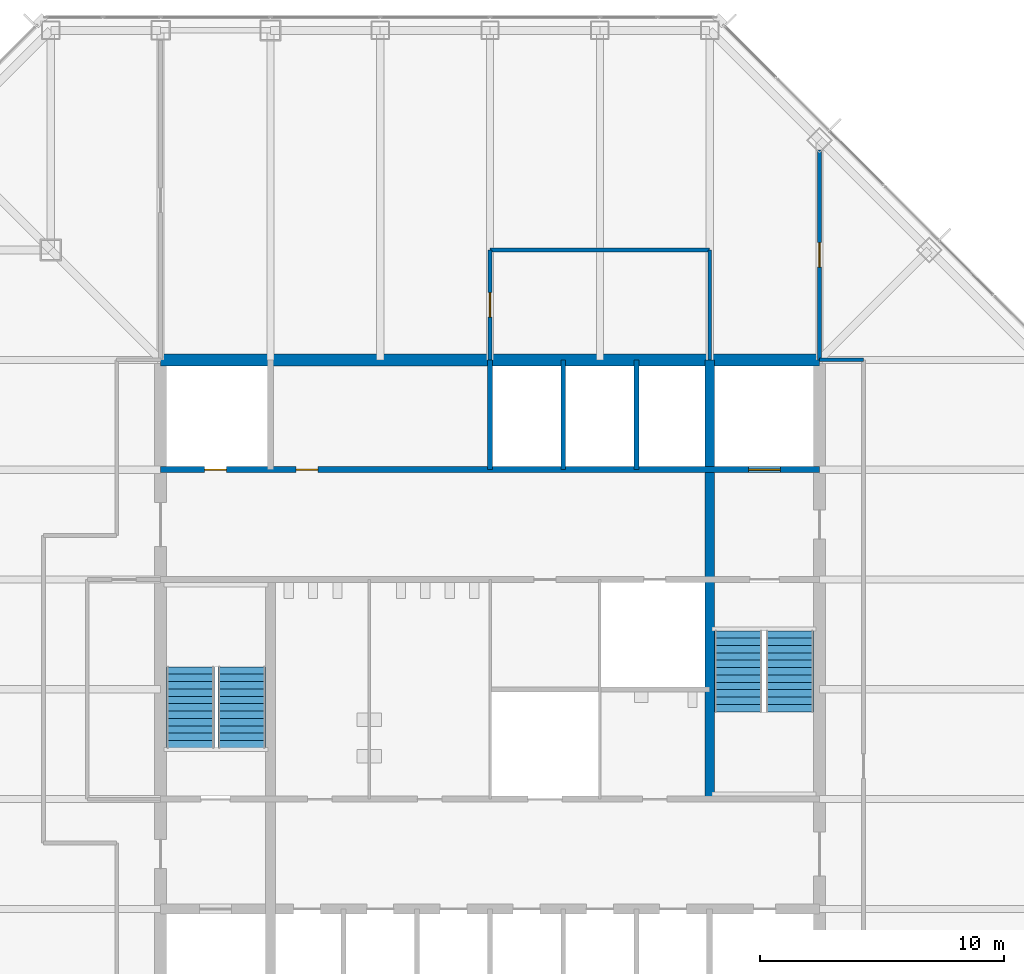
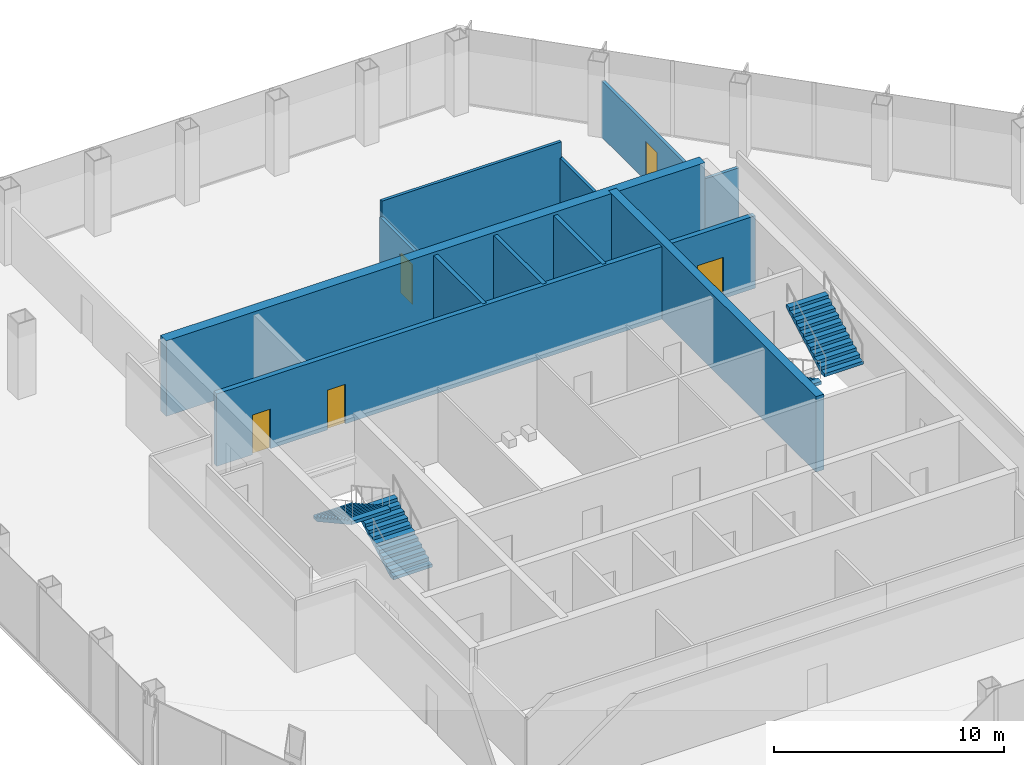
# One storey, part 10 of 12: 11 walls, 5 doors, 4 stair flights, 5 openings, 2 elements without a shape of their own.
"""IFC4 building model written with IfcOpenShell, lengths in metres."""

from ifc_helpers import new_model, si_unit, direction, frame, frame_2d, origin, place, context, subcontext, project, spatial, polyline, rectangle, outline, extrude, material, layer, layer_set, type_object, element, fill, aggregate, save


model = new_model("IFC4")

# Units and contexts
model_context = context("Model", 3, precision=1e-05, world=origin(), true_north=direction((0.0, 1.0)))
body_context = subcontext(model_context, "Body", "Model", "MODEL_VIEW")
ifc_project = project(units=[si_unit("LENGTHUNIT", "METRE"), si_unit("AREAUNIT", "SQUARE_METRE"), si_unit("VOLUMEUNIT", "CUBIC_METRE"), si_unit("PLANEANGLEUNIT", "RADIAN"), si_unit("MASSUNIT", "GRAM", prefix="KILO")], contexts=[model_context])

# Site, building, storey
site_placement = place(None, origin())
site = spatial("IfcSite", under=ifc_project, at=site_placement, CompositionType="ELEMENT")
building_placement = place(site_placement, origin())
building = spatial("IfcBuilding", under=site, at=building_placement, Name="Corais Broadcast Tower", CompositionType="ELEMENT")
storey_placement = place(building_placement, frame((0.0, 0.0, 139.60009765625)))
storey = spatial("IfcBuildingStorey", under=building, at=storey_placement, Name="L31", CompositionType="ELEMENT", Elevation=139.60009765625)

# Walls
ifc_material_1 = material(Name="Concrete C50/60", Category="concrete")
ifc_layer_1 = layer(ifc_material_1, 0.39990234375)
ifc_layer_set_1 = layer_set([ifc_layer_1], Name="Concrete C50/60")
wall_type_1 = type_object("IfcWallType", Name="Core wall 400", PredefinedType="SHEAR", material=ifc_layer_set_1)
wall_1_placement = place(storey_placement, frame((36.0, 22.5, 0.0), z_axis=(0.0, 0.0, 1.0), x_axis=(0.0, 1.0, 0.0)))
element("IfcWall", 1, at=wall_1_placement, inside=storey, type_object=wall_type_1, Name="CR400 core wall X36B L31", PredefinedType="SHEAR", context=body_context, shape_type="SweptSolid", body=[
    extrude(rectangle(XDim=18.0, YDim=0.39990234375, at=frame_2d((9.0, 0.0))), origin(), (0.0, 0.0, 1.0), 4.0),
])
ifc_material_2 = material(Name="Concrete C50/60", Category="concrete")
ifc_layer_2 = layer(ifc_material_2, 0.5)
ifc_layer_set_2 = layer_set([ifc_layer_2], Name="Concrete C50/60")
wall_type_2 = type_object("IfcWallType", Name="Core wall 500", PredefinedType="SHEAR", material=ifc_layer_set_2)
wall_2_placement = place(storey_placement, frame((40.5, 40.5, 0.0), z_axis=(0.0, 0.0, 1.0), x_axis=(-1.0, 0.0, 0.0)))
element("IfcWall", 2, at=wall_2_placement, inside=storey, type_object=wall_type_2, Name="CR500 core wall N L31", PredefinedType="SHEAR", context=body_context, shape_type="SweptSolid", body=[
    extrude(rectangle(XDim=27.0, YDim=0.5, at=frame_2d((13.5, 0.0))), origin(), (0.0, 0.0, 1.0), 4.0),
])

# Wall, openings, doors
ifc_material_3 = material(Name="Concrete blockwork class A, grouted, four-hour", Category="masonry")
ifc_layer_3 = layer(ifc_material_3, 0.25)
ifc_layer_set_3 = layer_set([ifc_layer_3], Name="Concrete blockwork class A, grouted, four-hour")
wall_type_3 = type_object("IfcWallType", Name="Emergency lift shaft wall 250", PredefinedType="SOLIDWALL", material=ifc_layer_set_3)
wall_3_placement = place(storey_placement, frame((13.5, 36.0, 0.0), z_axis=(0.0, 0.0, 1.0), x_axis=(1.0, 0.0, 0.0)))
wall_3 = element("IfcWall", 3, at=wall_3_placement, inside=storey, type_object=wall_type_3, Name="LS2 core lobby wall Y36 L31", PredefinedType="SOLIDWALL", context=body_context, shape_type="SweptSolid", body=[
    extrude(rectangle(XDim=27.0, YDim=0.25, at=frame_2d((13.5, 0.0))), origin(), (0.0, 0.0, 1.0), 3.83984375),
])
opening_1_placement = place(wall_3_placement, frame((1.800048828125, 0.0, 0.0)))
opening_1 = element("IfcOpeningElement", 4, at=opening_1_placement, cuts=wall_3, Name="Opening RD1", PredefinedType="OPENING", context=body_context, shape_type="SweptSolid", body=[
    extrude(rectangle(XDim=0.89990234375, YDim=2.10009765625, at=frame_2d((0.449951171875, 1.050048828125))), frame((0.0, 0.135009765625, 0.0), z_axis=(0.0, -1.0, 0.0), x_axis=(1.0, 0.0, 0.0)), (0.0, 0.0, 1.0), 0.27001953125),
])
opening_2_placement = place(wall_3_placement, frame((5.550048828125, 0.0, 0.0)))
opening_2 = element("IfcOpeningElement", 5, at=opening_2_placement, cuts=wall_3, Name="Opening RD1", PredefinedType="OPENING", context=body_context, shape_type="SweptSolid", body=[
    extrude(rectangle(XDim=0.89990234375, YDim=2.10009765625, at=frame_2d((0.449951171875, 1.050048828125))), frame((0.0, 0.135009765625, 0.0), z_axis=(0.0, -1.0, 0.0), x_axis=(1.0, 0.0, 0.0)), (0.0, 0.0, 1.0), 0.27001953125),
])
opening_3_placement = place(wall_3_placement, frame((24.10009765625, 0.0, 0.0)))
opening_3 = element("IfcOpeningElement", 6, at=opening_3_placement, cuts=wall_3, Name="Opening LD2", PredefinedType="OPENING", context=body_context, shape_type="SweptSolid", body=[
    extrude(rectangle(XDim=1.300048828125, YDim=2.199951171875, at=frame_2d((0.64990234375, 1.10009765625))), frame((0.0, 0.135009765625, 0.0), z_axis=(0.0, -1.0, 0.0), x_axis=(1.0, 0.0, 0.0)), (0.0, 0.0, 1.0), 0.27001953125),
])
ifc_material_4 = material(Name="Stainless steel lift door", Category="steel")
door_type_1 = type_object("IfcDoorType", Name="Lift landing door 1300x2200", OperationType="SLIDING_TO_LEFT", PredefinedType="DOOR", material=ifc_material_4)
door_1_placement = place(opening_3_placement, origin())
door_1 = element("IfcDoor", 7, at=door_1_placement, inside=storey, type_object=door_type_1, Name="LD2 FL2 landing door L31", OperationType="SLIDING_TO_LEFT", OverallHeight=2.199951171875, OverallWidth=1.300048828125, PredefinedType="DOOR", context=body_context, shape_type="SweptSolid", body=[
    extrude(rectangle(XDim=1.300048828125, YDim=2.199951171875, at=frame_2d((0.64990234375, 1.10009765625))), frame((0.0, 0.02490234375, 0.0), z_axis=(0.0, -1.0, 0.0), x_axis=(1.0, 0.0, 0.0)), (0.0, 0.0, 1.0), 0.050048828125),
])
fill(opening_3, door_1)
ifc_material_5 = material(Name="Steel fire door", Category="steel")
door_type_2 = type_object("IfcDoorType", Name="Riser door 900x2100", OperationType="SINGLE_SWING_LEFT", PredefinedType="DOOR", material=ifc_material_5)
door_2_placement = place(opening_1_placement, origin())
door_2 = element("IfcDoor", 8, at=door_2_placement, inside=storey, type_object=door_type_2, Name="RD1 riser door L31", OperationType="SINGLE_SWING_LEFT", OverallHeight=2.10009765625, OverallWidth=0.89990234375, PredefinedType="DOOR", context=body_context, shape_type="SweptSolid", body=[
    extrude(rectangle(XDim=0.89990234375, YDim=2.10009765625, at=frame_2d((0.449951171875, 1.050048828125))), frame((0.0, 0.02490234375, 0.0), z_axis=(0.0, -1.0, 0.0), x_axis=(1.0, 0.0, 0.0)), (0.0, 0.0, 1.0), 0.050048828125),
])
fill(opening_1, door_2)
door_3_placement = place(opening_2_placement, origin())
door_3 = element("IfcDoor", 9, at=door_3_placement, inside=storey, type_object=door_type_2, Name="RD1 print room door L31", OperationType="SINGLE_SWING_LEFT", OverallHeight=2.10009765625, OverallWidth=0.89990234375, PredefinedType="DOOR", context=body_context, shape_type="SweptSolid", body=[
    extrude(rectangle(XDim=0.89990234375, YDim=2.10009765625, at=frame_2d((0.449951171875, 1.050048828125))), frame((0.0, 0.02490234375, 0.0), z_axis=(0.0, -1.0, 0.0), x_axis=(1.0, 0.0, 0.0)), (0.0, 0.0, 1.0), 0.050048828125),
])
fill(opening_2, door_3)

# Walls
ifc_material_6 = material(Name="Gypsum board on steel studs", Category="steel")
ifc_layer_4 = layer(ifc_material_6, 0.14990234375)
ifc_layer_set_4 = layer_set([ifc_layer_4], Name="Gypsum board on steel studs")
wall_type_4 = type_object("IfcWallType", Name="Partition 150", PredefinedType="PARTITIONING", material=ifc_layer_set_4)
wall_4_placement = place(storey_placement, frame((42.300048828125, 40.5, 0.0), z_axis=(0.0, 0.0, 1.0), x_axis=(-1.0, 0.0, 0.0)))
element("IfcWall", 10, at=wall_4_placement, inside=storey, type_object=wall_type_4, Name="IW3 corridor wall L31", PredefinedType="PARTITIONING", context=body_context, shape_type="SweptSolid", body=[
    extrude(rectangle(XDim=1.81005859375, YDim=0.14990234375, at=frame_2d((0.905029296875, 0.0))), origin(), (0.0, 0.0, 1.0), 2.989013671875),
])
wall_5_placement = place(storey_placement, frame((36.0, 40.5, 0.0), z_axis=(0.0, 0.0, 1.0), x_axis=(0.0, 1.0, 0.0)))
element("IfcWall", 11, at=wall_5_placement, inside=storey, type_object=wall_type_4, Name="IW3 partition L31", PredefinedType="PARTITIONING", context=body_context, shape_type="SweptSolid", body=[
    extrude(rectangle(XDim=4.5, YDim=0.14990234375, at=frame_2d((2.25, 0.0))), origin(), (0.0, 0.0, 1.0), 2.989013671875),
])
wall_6_placement = place(storey_placement, frame((36.0, 45.0, 0.0), z_axis=(0.0, 0.0, 1.0), x_axis=(-1.0, 0.0, 0.0)))
element("IfcWall", 12, at=wall_6_placement, inside=storey, type_object=wall_type_4, Name="IW3 partition L31", PredefinedType="PARTITIONING", context=body_context, shape_type="SweptSolid", body=[
    extrude(rectangle(XDim=9.0, YDim=0.14990234375, at=frame_2d((4.5, 0.0))), origin(), (0.0, 0.0, 1.0), 3.83984375),
])

# Wall, opening, door
wall_7_placement = place(storey_placement, frame((27.0, 45.0, 0.0), z_axis=(0.0, 0.0, 1.0), x_axis=(0.0, -1.0, 0.0)))
wall_7 = element("IfcWall", 13, at=wall_7_placement, inside=storey, type_object=wall_type_4, Name="IW3 partition L31", PredefinedType="PARTITIONING", context=body_context, shape_type="SweptSolid", body=[
    extrude(rectangle(XDim=4.5, YDim=0.14990234375, at=frame_2d((2.25, 0.0))), origin(), (0.0, 0.0, 1.0), 2.989013671875),
])
opening_4_placement = place(wall_7_placement, frame((1.75, 0.0, 0.0)))
opening_4 = element("IfcOpeningElement", 14, at=opening_4_placement, cuts=wall_7, Name="Opening D1", PredefinedType="OPENING", context=body_context, shape_type="SweptSolid", body=[
    extrude(rectangle(XDim=1.0, YDim=2.10009765625, at=frame_2d((0.5, 1.050048828125))), frame((0.0, 0.0849609375, 0.0), z_axis=(0.0, -1.0, 0.0), x_axis=(1.0, 0.0, 0.0)), (0.0, 0.0, 1.0), 0.169921875),
])
ifc_material_7 = material(Name="Timber door", Category="wood")
door_type_3 = type_object("IfcDoorType", Name="Single door 1000x2100", OperationType="SINGLE_SWING_LEFT", PredefinedType="DOOR", material=ifc_material_7)
door_4_placement = place(opening_4_placement, origin())
door_4 = element("IfcDoor", 15, at=door_4_placement, inside=storey, type_object=door_type_3, Name="D1 Meeting room door", OperationType="SINGLE_SWING_LEFT", OverallHeight=2.10009765625, OverallWidth=1.0, PredefinedType="DOOR", context=body_context, shape_type="SweptSolid", body=[
    extrude(rectangle(XDim=1.0, YDim=2.10009765625, at=frame_2d((0.5, 1.050048828125))), frame((0.0, 0.02490234375, 0.0), z_axis=(0.0, -1.0, 0.0), x_axis=(1.0, 0.0, 0.0)), (0.0, 0.0, 1.0), 0.050048828125),
])
fill(opening_4, door_4)

wall_8_placement = place(storey_placement, frame((40.5, 49.10498046875, 0.0), z_axis=(0.0, 0.0, 1.0), x_axis=(0.0, -1.0, 0.0)))
wall_8 = element("IfcWall", 16, at=wall_8_placement, inside=storey, type_object=wall_type_4, Name="IW3 partition L31", PredefinedType="PARTITIONING", context=body_context, shape_type="SweptSolid", body=[
    extrude(rectangle(XDim=8.60498046875, YDim=0.14990234375, at=frame_2d((4.302490234375, 0.0))), origin(), (0.0, 0.0, 1.0), 2.989013671875),
])
opening_5_placement = place(wall_8_placement, frame((3.802490234375, 0.0, 0.0)))
opening_5 = element("IfcOpeningElement", 17, at=opening_5_placement, cuts=wall_8, Name="Opening D1", PredefinedType="OPENING", context=body_context, shape_type="SweptSolid", body=[
    extrude(rectangle(XDim=1.0, YDim=2.10009765625, at=frame_2d((0.5, 1.050048828125))), frame((0.0, 0.0849609375, 0.0), z_axis=(0.0, -1.0, 0.0), x_axis=(1.0, 0.0, 0.0)), (0.0, 0.0, 1.0), 0.169921875),
])
door_5_placement = place(opening_5_placement, origin())
door_5 = element("IfcDoor", 18, at=door_5_placement, inside=storey, type_object=door_type_3, Name="D1 team room door L31", OperationType="SINGLE_SWING_LEFT", OverallHeight=2.10009765625, OverallWidth=1.0, PredefinedType="DOOR", context=body_context, shape_type="SweptSolid", body=[
    extrude(rectangle(XDim=1.0, YDim=2.10009765625, at=frame_2d((0.5, 1.050048828125))), frame((0.0, 0.02490234375, 0.0), z_axis=(0.0, -1.0, 0.0), x_axis=(1.0, 0.0, 0.0)), (0.0, 0.0, 1.0), 0.050048828125),
])
fill(opening_5, door_5)

# Walls
ifc_material_8 = material(Name="Concrete blockwork class A, grouted, two-hour", Category="masonry")
ifc_layer_5 = layer(ifc_material_8, 0.199951171875)
ifc_layer_set_5 = layer_set([ifc_layer_5], Name="Concrete blockwork class A, grouted, two-hour")
wall_type_5 = type_object("IfcWallType", Name="Shaft wall 200", PredefinedType="PARTITIONING", material=ifc_layer_set_5)
for number, where, z_axis, x_axis, name in (
    (19, (27.0, 36.0, 0.0), (0.0, 0.0, 1.0), (0.0, 1.0, 0.0), "IW1 shaft wall L31"),
    (20, (30.0, 36.0, 0.0), (0.0, 0.0, 1.0), (0.0, 1.0, 0.0), "IW1 shaft wall L31"),
    (21, (33.0, 36.0, 0.0), (0.0, 0.0, 1.0), (0.0, 1.0, 0.0), "IW1 shaft wall L31"),
):
    element("IfcWall", number, at=place(storey_placement, frame(where, z_axis=z_axis, x_axis=x_axis)), inside=storey, type_object=wall_type_5, Name=name, PredefinedType="PARTITIONING", context=body_context, shape_type="SweptSolid", body=[
        extrude(rectangle(XDim=4.5, YDim=0.199951171875, at=frame_2d((2.25, 0.0))), origin(), (0.0, 0.0, 1.0), 3.83984375),
    ])

# Stair, stair flights
ifc_material_9 = material(Name="Concrete C30/37", Category="concrete")
stair_type = type_object("IfcStairType", Name="Half-turn stair 4000", PredefinedType="HALF_TURN_STAIR", material=ifc_material_9)
stair_1_placement = place(storey_placement, origin())
stair_1 = element("IfcStair", 22, at=stair_1_placement, inside=storey, type_object=stair_type, Name="Stair A L31", PredefinedType="HALF_TURN_STAIR")
ifc_material_10 = material(Name="Concrete C30/37", Category="concrete")
stair_flight_type = type_object("IfcStairFlightType", Name="Stair flight 4000", PredefinedType="STRAIGHT", material=ifc_material_10)
stair_flight_1_placement = place(storey_placement, frame((16.824951171875, 24.60009765625, 0.0), z_axis=(0.0, 0.0, 1.0), x_axis=(0.0, 1.0, 0.0)))
stair_flight_1 = element("IfcStairFlight", 23, at=stair_flight_1_placement, type_object=stair_flight_type, Name="STA flight 1", NumberOfRisers=12, NumberOfTreads=11, PredefinedType="STRAIGHT", RiserHeight=0.166666667, TreadLength=0.302, context=body_context, shape_type="SweptSolid", body=[
    extrude(outline(polyline([(0.0, 0.0), (0.0, 0.166748046875), (0.302001953125, 0.166748046875), (0.302001953125, 0.333251953125), (0.60400390625, 0.333251953125), (0.60400390625, 0.5), (0.906005859375, 0.5), (0.906005859375, 0.666748046875), (1.2080078125, 0.666748046875), (1.2080078125, 0.833251953125), (1.510009765625, 0.833251953125), (1.510009765625, 1.0), (1.81201171875, 1.0), (1.81201171875, 1.166748046875), (2.114013671875, 1.166748046875), (2.114013671875, 1.333251953125), (2.416015625, 1.333251953125), (2.416015625, 1.5), (2.718017578125, 1.5), (2.718017578125, 1.666748046875), (3.02001953125, 1.666748046875), (3.02001953125, 1.833251953125), (3.322021484375, 1.833251953125), (3.322021484375, 2.0), (3.322021484375, 1.662109375), (0.310302734375, 0.0), (0.0, 0.0)])), frame((0.0, 0.97509765625, 0.0), z_axis=(0.0, -1.0, 0.0), x_axis=(1.0, 0.0, 0.0)), (0.0, 0.0, 1.0), 1.949951171875),
])
stair_flight_2_placement = place(storey_placement, frame((14.72509765625, 27.922119140625, 2.0), z_axis=(0.0, 0.0, 1.0), x_axis=(0.0, -1.0, 0.0)))
stair_flight_2 = element("IfcStairFlight", 24, at=stair_flight_2_placement, type_object=stair_flight_type, Name="STA flight 2", NumberOfRisers=12, NumberOfTreads=11, PredefinedType="STRAIGHT", RiserHeight=0.166666667, TreadLength=0.302, context=body_context, shape_type="SweptSolid", body=[
    extrude(outline(polyline([(0.0, 0.0), (0.0, 0.166748046875), (0.302001953125, 0.166748046875), (0.302001953125, 0.333251953125), (0.60400390625, 0.333251953125), (0.60400390625, 0.5), (0.906005859375, 0.5), (0.906005859375, 0.666748046875), (1.2080078125, 0.666748046875), (1.2080078125, 0.833251953125), (1.510009765625, 0.833251953125), (1.510009765625, 1.0), (1.81201171875, 1.0), (1.81201171875, 1.166748046875), (2.114013671875, 1.166748046875), (2.114013671875, 1.333251953125), (2.416015625, 1.333251953125), (2.416015625, 1.5), (2.718017578125, 1.5), (2.718017578125, 1.666748046875), (3.02001953125, 1.666748046875), (3.02001953125, 1.833251953125), (3.322021484375, 1.833251953125), (3.322021484375, 2.0), (3.322021484375, 1.662109375), (0.310302734375, 0.0), (0.0, 0.0)])), frame((0.0, 0.97509765625, 0.0), z_axis=(0.0, -1.0, 0.0), x_axis=(1.0, 0.0, 0.0)), (0.0, 0.0, 1.0), 1.949951171875),
])
aggregate(stair_1, [stair_flight_1, stair_flight_2])

stair_2_placement = place(storey_placement, origin())
stair_2 = element("IfcStair", 25, at=stair_2_placement, inside=storey, type_object=stair_type, Name="Stair B L31", PredefinedType="HALF_TURN_STAIR")
stair_flight_3_placement = place(storey_placement, frame((37.175048828125, 29.39990234375, 0.0), z_axis=(0.0, 0.0, 1.0), x_axis=(0.0, -1.0, 0.0)))
stair_flight_3 = element("IfcStairFlight", 26, at=stair_flight_3_placement, type_object=stair_flight_type, Name="STB flight 1", NumberOfRisers=12, NumberOfTreads=11, PredefinedType="STRAIGHT", RiserHeight=0.166666667, TreadLength=0.302, context=body_context, shape_type="SweptSolid", body=[
    extrude(outline(polyline([(0.0, 0.0), (0.0, 0.166748046875), (0.302001953125, 0.166748046875), (0.302001953125, 0.333251953125), (0.60400390625, 0.333251953125), (0.60400390625, 0.5), (0.906005859375, 0.5), (0.906005859375, 0.666748046875), (1.2080078125, 0.666748046875), (1.2080078125, 0.833251953125), (1.510009765625, 0.833251953125), (1.510009765625, 1.0), (1.81201171875, 1.0), (1.81201171875, 1.166748046875), (2.114013671875, 1.166748046875), (2.114013671875, 1.333251953125), (2.416015625, 1.333251953125), (2.416015625, 1.5), (2.718017578125, 1.5), (2.718017578125, 1.666748046875), (3.02001953125, 1.666748046875), (3.02001953125, 1.833251953125), (3.322021484375, 1.833251953125), (3.322021484375, 2.0), (3.322021484375, 1.662109375), (0.310302734375, 0.0), (0.0, 0.0)])), frame((0.0, 0.97509765625, 0.0), z_axis=(0.0, -1.0, 0.0), x_axis=(1.0, 0.0, 0.0)), (0.0, 0.0, 1.0), 1.949951171875),
])
stair_flight_4_placement = place(storey_placement, frame((39.27490234375, 26.077880859375, 2.0), z_axis=(0.0, 0.0, 1.0), x_axis=(0.0, 1.0, 0.0)))
stair_flight_4 = element("IfcStairFlight", 27, at=stair_flight_4_placement, type_object=stair_flight_type, Name="STB flight 2", NumberOfRisers=12, NumberOfTreads=11, PredefinedType="STRAIGHT", RiserHeight=0.166666667, TreadLength=0.302, context=body_context, shape_type="SweptSolid", body=[
    extrude(outline(polyline([(0.0, 0.0), (0.0, 0.166748046875), (0.302001953125, 0.166748046875), (0.302001953125, 0.333251953125), (0.60400390625, 0.333251953125), (0.60400390625, 0.5), (0.906005859375, 0.5), (0.906005859375, 0.666748046875), (1.2080078125, 0.666748046875), (1.2080078125, 0.833251953125), (1.510009765625, 0.833251953125), (1.510009765625, 1.0), (1.81201171875, 1.0), (1.81201171875, 1.166748046875), (2.114013671875, 1.166748046875), (2.114013671875, 1.333251953125), (2.416015625, 1.333251953125), (2.416015625, 1.5), (2.718017578125, 1.5), (2.718017578125, 1.666748046875), (3.02001953125, 1.666748046875), (3.02001953125, 1.833251953125), (3.322021484375, 1.833251953125), (3.322021484375, 2.0), (3.322021484375, 1.662109375), (0.310302734375, 0.0), (0.0, 0.0)])), frame((0.0, 0.97509765625, 0.0), z_axis=(0.0, -1.0, 0.0), x_axis=(1.0, 0.0, 0.0)), (0.0, 0.0, 1.0), 1.949951171875),
])
aggregate(stair_2, [stair_flight_3, stair_flight_4])

save(model, "model.ifc")
